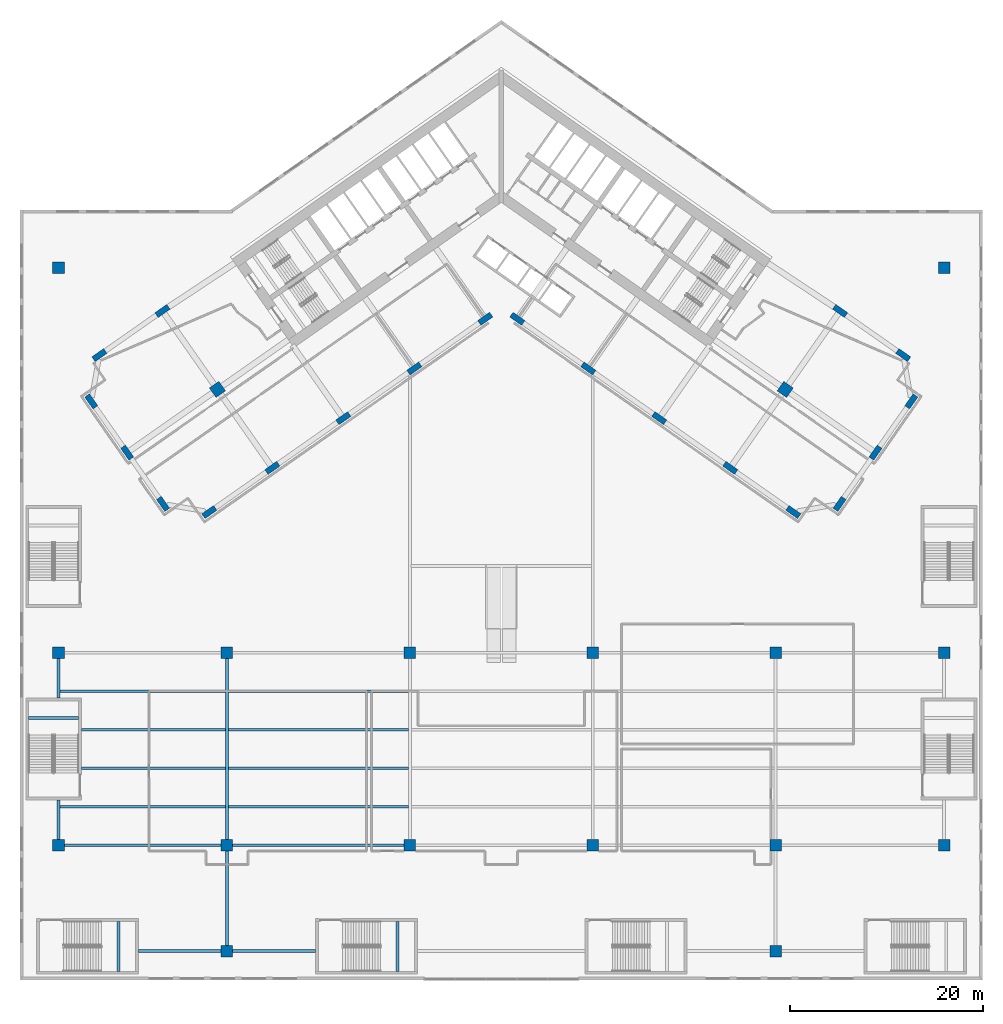
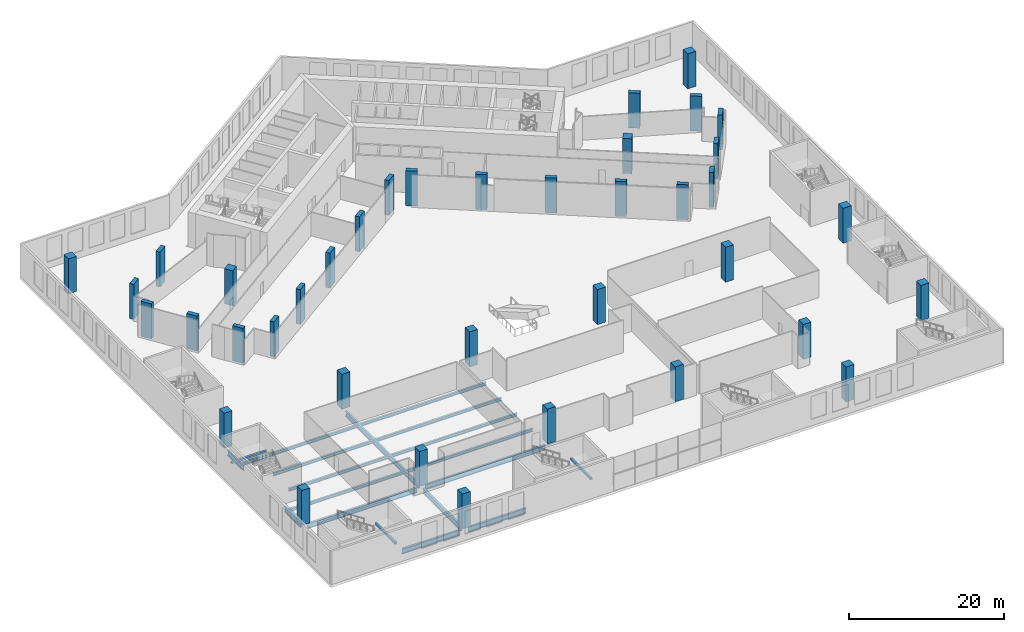
# One storey, part 1 of 26: 38 columns, 19 beams.
"""IFC4 building model written with IfcOpenShell, lengths in metres."""

from ifc_helpers import new_model, si_unit, direction, frame, origin, origin_2d, place, context, subcontext, project, spatial, rectangle, i_section, extrude, material, material_profile, profile_set, type_object, element, save


model = new_model("IFC4")

# Units and contexts
model_context = context("Model", 3, precision=1e-05, world=origin(), true_north=direction((0.0, 1.0)))
body_context = subcontext(model_context, "Body", "Model", "MODEL_VIEW")
ifc_project = project(units=[si_unit("LENGTHUNIT", "METRE"), si_unit("AREAUNIT", "SQUARE_METRE"), si_unit("VOLUMEUNIT", "CUBIC_METRE"), si_unit("PLANEANGLEUNIT", "RADIAN"), si_unit("MASSUNIT", "GRAM", prefix="KILO")], contexts=[model_context])

# Site, building, storey
site_placement = place(None, origin())
site = spatial("IfcSite", under=ifc_project, at=site_placement, CompositionType="ELEMENT")
building_placement = place(site_placement, origin())
building = spatial("IfcBuilding", under=site, at=building_placement, Name="Tel Ilan Convention Tower", CompositionType="ELEMENT")
storey_placement = place(building_placement, frame((0.0, 0.0, 37.5)))
storey = spatial("IfcBuildingStorey", under=building, at=storey_placement, Name="L05", CompositionType="ELEMENT", Elevation=37.5)

# Columns
ifc_material_1 = material(Name="Concrete C50/60", Category="concrete")
ifc_material_profile_1 = material_profile(ifc_material_1, rectangle(XDim=1.199951171875, YDim=1.199951171875, at=origin_2d()), Name="RC 1200x1200")
ifc_profile_set_1 = profile_set([ifc_material_profile_1], Name="Concrete C50/60")
column_type_1 = type_object("IfcColumnType", Name="Column RC 1200x1200 C50/60", PredefinedType="COLUMN", material=ifc_profile_set_1)
for number, where, z_axis, x_axis, name in (
    (1, (-28.5, -79.0, 0.0), (0.0, 0.0, 1.0), (1.0, 0.0, 0.0), "L05 column PC12"),
    (2, (28.5, -79.0, 0.0), (0.0, 0.0, 1.0), (1.0, 0.0, 0.0), "L05 column PC15"),
    (3, (-46.0, -68.0, 0.0), (0.0, 0.0, 1.0), (1.0, 0.0, 0.0), "L05 column PC21"),
    (4, (-28.5, -68.0, 0.0), (0.0, 0.0, 1.0), (1.0, 0.0, 0.0), "L05 column PC22"),
    (5, (-9.5, -68.0, 0.0), (0.0, 0.0, 1.0), (1.0, 0.0, 0.0), "L05 column PC23"),
    (6, (9.5, -68.0, 0.0), (0.0, 0.0, 1.0), (1.0, 0.0, 0.0), "L05 column PC24"),
    (7, (28.5, -68.0, 0.0), (0.0, 0.0, 1.0), (1.0, 0.0, 0.0), "L05 column PC25"),
    (8, (46.0, -68.0, 0.0), (0.0, 0.0, 1.0), (1.0, 0.0, 0.0), "L05 column PC26"),
    (9, (-46.0, -48.0, 0.0), (0.0, 0.0, 1.0), (1.0, 0.0, 0.0), "L05 column PC31"),
    (10, (-28.5, -48.0, 0.0), (0.0, 0.0, 1.0), (1.0, 0.0, 0.0), "L05 column PC32"),
    (11, (-9.5, -48.0, 0.0), (0.0, 0.0, 1.0), (1.0, 0.0, 0.0), "L05 column PC33"),
    (12, (9.5, -48.0, 0.0), (0.0, 0.0, 1.0), (1.0, 0.0, 0.0), "L05 column PC34"),
    (13, (28.5, -48.0, 0.0), (0.0, 0.0, 1.0), (1.0, 0.0, 0.0), "L05 column PC35"),
    (14, (46.0, -48.0, 0.0), (0.0, 0.0, 1.0), (1.0, 0.0, 0.0), "L05 column PC36"),
    (15, (-46.0, -8.0, 0.0), (0.0, 0.0, 1.0), (1.0, 0.0, 0.0), "L05 column PC51"),
    (16, (46.0, -8.0, 0.0), (0.0, 0.0, 1.0), (1.0, 0.0, 0.0), "L05 column PC56"),
):
    element("IfcColumn", number, at=place(storey_placement, frame(where, z_axis=z_axis, x_axis=x_axis)), inside=storey, type_object=column_type_1, Name=name, PredefinedType="COLUMN", context=body_context, shape_type="SweptSolid", body=[
        extrude(rectangle(XDim=1.199951171875, YDim=1.199951171875, at=origin_2d()), origin(), (0.0, 0.0, 1.0), 5.5),
    ])
ifc_material_2 = material(Name="Concrete C60/75", Category="concrete")
ifc_material_profile_2 = material_profile(ifc_material_2, rectangle(XDim=1.199951171875, YDim=1.199951171875, at=origin_2d()), Name="RC 1200x1200")
ifc_profile_set_2 = profile_set([ifc_material_profile_2], Name="Concrete C60/75")
column_type_2 = type_object("IfcColumnType", Name="Column RC 1200x1200 C60/75", PredefinedType="COLUMN", material=ifc_profile_set_2)
for number, where, z_axis, x_axis, name in (
    (17, (-29.489501953125, -20.648681640625, 0.0), (0.0, 0.0, 1.0), (-0.819152044289, -0.573576436351, 0.0), "L05 column W-M4"),
    (18, (29.489501953125, -20.648681640625, 0.0), (0.0, 0.0, 1.0), (0.819152044289, -0.573576436351, 0.0), "L05 column E-M4"),
):
    element("IfcColumn", number, at=place(storey_placement, frame(where, z_axis=z_axis, x_axis=x_axis)), inside=storey, type_object=column_type_2, Name=name, PredefinedType="COLUMN", context=body_context, shape_type="SweptSolid", body=[
        extrude(rectangle(XDim=1.199951171875, YDim=1.199951171875, at=origin_2d()), origin(), (0.0, 0.0, 1.0), 5.5),
    ])
ifc_material_3 = material(Name="Concrete C60/75", Category="concrete")
ifc_material_profile_3 = material_profile(ifc_material_3, rectangle(XDim=1.5, YDim=0.60009765625, at=origin_2d()), Name="RC 600x1500")
ifc_profile_set_3 = profile_set([ifc_material_profile_3], Name="Concrete C60/75")
column_type_3 = type_object("IfcColumnType", Name="Column RC 600x1500 C60/75", PredefinedType="COLUMN", material=ifc_profile_set_3)
for number, where, z_axis, x_axis, name in (
    (19, (-1.665283203125, -13.312744140625, 0.0), (0.0, 0.0, 1.0), (-0.819152044289, -0.573576436351, 0.0), "L05 column W-F1"),
    (20, (-9.03759765625, -18.474853515625, 0.0), (0.0, 0.0, 1.0), (-0.819152044289, -0.573576436351, 0.0), "L05 column W-F2"),
    (21, (-16.409912109375, -23.63720703125, 0.0), (0.0, 0.0, 1.0), (-0.819152044289, -0.573576436351, 0.0), "L05 column W-F3"),
    (22, (-23.782470703125, -28.79931640625, 0.0), (0.0, 0.0, 1.0), (-0.819152044289, -0.573576436351, 0.0), "L05 column W-F4"),
    (23, (-30.335693359375, -33.387939453125, 0.0), (0.0, 0.0, 1.0), (-0.819152044289, -0.573576436351, 0.0), "L05 column W-FC"),
    (24, (-35.196533203125, -12.498291015625, 0.0), (0.0, 0.0, 1.0), (-0.819152044289, -0.573576436351, 0.0), "L05 column W-B4"),
    (25, (-41.749755859375, -17.0869140625, 0.0), (0.0, 0.0, 1.0), (-0.819152044289, -0.573576436351, 0.0), "L05 column W-BC"),
    (26, (-35.140380859375, -32.540771484375, 0.0), (0.0, 0.0, 1.0), (-0.573576436351, 0.819152044289, 0.0), "L05 column W-E1"),
    (27, (-38.868896484375, -27.21630859375, 0.0), (0.0, 0.0, 1.0), (-0.573576436351, 0.819152044289, 0.0), "L05 column W-E2"),
    (28, (-42.596923828125, -21.8916015625, 0.0), (0.0, 0.0, 1.0), (-0.573576436351, 0.819152044289, 0.0), "L05 column W-E3"),
    (29, (1.665283203125, -13.312744140625, 0.0), (0.0, 0.0, 1.0), (0.819152044289, -0.573576436351, 0.0), "L05 column E-F1"),
    (30, (9.03759765625, -18.474853515625, 0.0), (0.0, 0.0, 1.0), (0.819152044289, -0.573576436351, 0.0), "L05 column E-F2"),
    (31, (16.409912109375, -23.63720703125, 0.0), (0.0, 0.0, 1.0), (0.819152044289, -0.573576436351, 0.0), "L05 column E-F3"),
    (32, (23.782470703125, -28.79931640625, 0.0), (0.0, 0.0, 1.0), (0.819152044289, -0.573576436351, 0.0), "L05 column E-F4"),
    (33, (30.335693359375, -33.387939453125, 0.0), (0.0, 0.0, 1.0), (0.819152044289, -0.573576436351, 0.0), "L05 column E-FC"),
    (34, (35.196533203125, -12.498291015625, 0.0), (0.0, 0.0, 1.0), (0.819152044289, -0.573576436351, 0.0), "L05 column E-B4"),
    (35, (41.749755859375, -17.0869140625, 0.0), (0.0, 0.0, 1.0), (0.819152044289, -0.573576436351, 0.0), "L05 column E-BC"),
    (36, (35.140380859375, -32.540771484375, 0.0), (0.0, 0.0, 1.0), (0.573576436351, 0.819152044289, 0.0), "L05 column E-E1"),
    (37, (38.868896484375, -27.21630859375, 0.0), (0.0, 0.0, 1.0), (0.573576436351, 0.819152044289, 0.0), "L05 column E-E2"),
    (38, (42.596923828125, -21.8916015625, 0.0), (0.0, 0.0, 1.0), (0.573576436351, 0.819152044289, 0.0), "L05 column E-E3"),
):
    element("IfcColumn", number, at=place(storey_placement, frame(where, z_axis=z_axis, x_axis=x_axis)), inside=storey, type_object=column_type_3, Name=name, PredefinedType="COLUMN", context=body_context, shape_type="SweptSolid", body=[
        extrude(rectangle(XDim=1.5, YDim=0.60009765625, at=origin_2d()), origin(), (0.0, 0.0, 1.0), 5.5),
    ])

# Beams
ifc_material_4 = material(Name="Steel S355", Category="steel")
ifc_material_profile_4 = material_profile(ifc_material_4, i_section(OverallWidth=0.300048828125, OverallDepth=0.800048828125, WebThickness=0.017578125, FlangeThickness=0.032958984375, FilletRadius=0.030029296875, at=origin_2d()), Name="HEB 800")
ifc_profile_set_4 = profile_set([ifc_material_profile_4], Name="Steel S355")
beam_type_1 = type_object("IfcBeamType", Name="Girder HEB 800 Steel S355", PredefinedType="BEAM", material=ifc_profile_set_4)
beam_1_placement = place(storey_placement, frame((-45.39990234375, -68.0, -0.800048828125), z_axis=(1.0, 0.0, 0.0), x_axis=(0.0, 1.0, 0.0)))
element("IfcBeam", 39, at=beam_1_placement, inside=storey, type_object=beam_type_1, Name="L05 beam GX21-2", PredefinedType="BEAM", context=body_context, shape_type="SweptSolid", body=[
    extrude(i_section(OverallWidth=0.300048828125, OverallDepth=0.800048828125, WebThickness=0.017578125, FlangeThickness=0.032958984375, FilletRadius=0.030029296875, at=origin_2d()), origin(), (0.0, 0.0, 1.0), 16.2998046875),
])
beam_2_placement = place(storey_placement, frame((-27.89990234375, -68.0, -0.800048828125), z_axis=(1.0, 0.0, 0.0), x_axis=(0.0, 1.0, 0.0)))
element("IfcBeam", 40, at=beam_2_placement, inside=storey, type_object=beam_type_1, Name="L05 beam GX22-3", PredefinedType="BEAM", context=body_context, shape_type="SweptSolid", body=[
    extrude(i_section(OverallWidth=0.300048828125, OverallDepth=0.800048828125, WebThickness=0.017578125, FlangeThickness=0.032958984375, FilletRadius=0.030029296875, at=origin_2d()), origin(), (0.0, 0.0, 1.0), 17.7998046875),
])
for number, where, z_axis, x_axis, name in (
    (41, (-46.0, -67.39990234375, -0.800048828125), (0.0, 1.0, 0.0), (-1.0, 0.0, 0.0), "L05 beam GY12-3"),
    (42, (-46.0, -52.699951171875, -0.800048828125), (0.0, 1.0, 0.0), (-1.0, 0.0, 0.0), "L05 beam GY12-3"),
):
    element("IfcBeam", number, at=place(storey_placement, frame(where, z_axis=z_axis, x_axis=x_axis)), inside=storey, type_object=beam_type_1, Name=name, PredefinedType="BEAM", context=body_context, shape_type="SweptSolid", body=[
        extrude(i_section(OverallWidth=0.300048828125, OverallDepth=0.800048828125, WebThickness=0.017578125, FlangeThickness=0.032958984375, FilletRadius=0.030029296875, at=origin_2d()), origin(), (0.0, 0.0, 1.0), 4.099853515625),
    ])
beam_3_placement = place(storey_placement, frame((-28.5, -78.39990234375, -0.800048828125), z_axis=(0.0, 1.0, 0.0), x_axis=(-1.0, 0.0, 0.0)))
element("IfcBeam", 43, at=beam_3_placement, inside=storey, type_object=beam_type_1, Name="L05 beam GY21-2", PredefinedType="BEAM", context=body_context, shape_type="SweptSolid", body=[
    extrude(i_section(OverallWidth=0.300048828125, OverallDepth=0.800048828125, WebThickness=0.017578125, FlangeThickness=0.032958984375, FilletRadius=0.030029296875, at=origin_2d()), origin(), (0.0, 0.0, 1.0), 9.7998046875),
])
beam_4_placement = place(storey_placement, frame((-28.5, -67.39990234375, -0.800048828125), z_axis=(0.0, 1.0, 0.0), x_axis=(-1.0, 0.0, 0.0)))
element("IfcBeam", 44, at=beam_4_placement, inside=storey, type_object=beam_type_1, Name="L05 beam GY22-3", PredefinedType="BEAM", context=body_context, shape_type="SweptSolid", body=[
    extrude(i_section(OverallWidth=0.300048828125, OverallDepth=0.800048828125, WebThickness=0.017578125, FlangeThickness=0.032958984375, FilletRadius=0.030029296875, at=origin_2d()), origin(), (0.0, 0.0, 1.0), 18.7998046875),
])
for number, where, z_axis, x_axis, name in (
    (45, (-37.699951171875, -79.0, -0.800048828125), (1.0, 0.0, 0.0), (0.0, 1.0, 0.0), "L05 beam GS19"),
    (46, (-27.89990234375, -79.0, -0.800048828125), (1.0, 0.0, 0.0), (0.0, 1.0, 0.0), "L05 beam GS20"),
):
    element("IfcBeam", number, at=place(storey_placement, frame(where, z_axis=z_axis, x_axis=x_axis)), inside=storey, type_object=beam_type_1, Name=name, PredefinedType="BEAM", context=body_context, shape_type="SweptSolid", body=[
        extrude(i_section(OverallWidth=0.300048828125, OverallDepth=0.800048828125, WebThickness=0.017578125, FlangeThickness=0.032958984375, FilletRadius=0.030029296875, at=origin_2d()), origin(), (0.0, 0.0, 1.0), 8.599853515625),
    ])
ifc_material_5 = material(Name="Steel S355", Category="steel")
ifc_material_profile_5 = material_profile(ifc_material_5, i_section(OverallWidth=0.300048828125, OverallDepth=0.449951171875, WebThickness=0.013916015625, FlangeThickness=0.02587890625, FilletRadius=0.027099609375, at=origin_2d()), Name="HEB 450")
ifc_profile_set_5 = profile_set([ifc_material_profile_5], Name="Steel S355")
beam_type_2 = type_object("IfcBeamType", Name="Joist HEB 450 Steel S355", PredefinedType="JOIST", material=ifc_profile_set_5)
beam_5_placement = place(storey_placement, frame((-45.860107421875, -64.0, -0.625), z_axis=(1.0, 0.0, 0.0), x_axis=(0.0, 1.0, 0.0)))
element("IfcBeam", 47, at=beam_5_placement, inside=storey, type_object=beam_type_2, Name="L05 beam J1--68-1", PredefinedType="JOIST", context=body_context, shape_type="SweptSolid", body=[
    extrude(i_section(OverallWidth=0.300048828125, OverallDepth=0.449951171875, WebThickness=0.013916015625, FlangeThickness=0.02587890625, FilletRadius=0.027099609375, at=origin_2d()), origin(), (0.0, 0.0, 1.0), 17.22021484375),
])
for number, where, z_axis, x_axis, name in (
    (48, (-43.60009765625, -60.0, -0.625), (1.0, 0.0, 0.0), (0.0, 1.0, 0.0), "L05 beam J1--68-2"),
    (49, (-43.60009765625, -56.0, -0.625), (1.0, 0.0, 0.0), (0.0, 1.0, 0.0), "L05 beam J1--68-3"),
):
    element("IfcBeam", number, at=place(storey_placement, frame(where, z_axis=z_axis, x_axis=x_axis)), inside=storey, type_object=beam_type_2, Name=name, PredefinedType="JOIST", context=body_context, shape_type="SweptSolid", body=[
        extrude(i_section(OverallWidth=0.300048828125, OverallDepth=0.449951171875, WebThickness=0.013916015625, FlangeThickness=0.02587890625, FilletRadius=0.027099609375, at=origin_2d()), origin(), (0.0, 0.0, 1.0), 14.960205078125),
    ])
beam_6_placement = place(storey_placement, frame((-45.860107421875, -52.0, -0.625), z_axis=(1.0, 0.0, 0.0), x_axis=(0.0, 1.0, 0.0)))
element("IfcBeam", 50, at=beam_6_placement, inside=storey, type_object=beam_type_2, Name="L05 beam J1--68-4", PredefinedType="JOIST", context=body_context, shape_type="SweptSolid", body=[
    extrude(i_section(OverallWidth=0.300048828125, OverallDepth=0.449951171875, WebThickness=0.013916015625, FlangeThickness=0.02587890625, FilletRadius=0.027099609375, at=origin_2d()), origin(), (0.0, 0.0, 1.0), 17.22021484375),
])
for number, where, z_axis, x_axis, name in (
    (51, (-28.360107421875, -64.0, -0.625), (1.0, 0.0, 0.0), (0.0, 1.0, 0.0), "L05 beam J2--68-1"),
    (52, (-28.360107421875, -60.0, -0.625), (1.0, 0.0, 0.0), (0.0, 1.0, 0.0), "L05 beam J2--68-2"),
    (53, (-28.360107421875, -56.0, -0.625), (1.0, 0.0, 0.0), (0.0, 1.0, 0.0), "L05 beam J2--68-3"),
    (54, (-28.360107421875, -52.0, -0.625), (1.0, 0.0, 0.0), (0.0, 1.0, 0.0), "L05 beam J2--68-4"),
):
    element("IfcBeam", number, at=place(storey_placement, frame(where, z_axis=z_axis, x_axis=x_axis)), inside=storey, type_object=beam_type_2, Name=name, PredefinedType="JOIST", context=body_context, shape_type="SweptSolid", body=[
        extrude(i_section(OverallWidth=0.300048828125, OverallDepth=0.449951171875, WebThickness=0.013916015625, FlangeThickness=0.02587890625, FilletRadius=0.027099609375, at=origin_2d()), origin(), (0.0, 0.0, 1.0), 18.72021484375),
    ])
ifc_material_6 = material(Name="Concrete C40/50", Category="concrete")
ifc_material_profile_6 = material_profile(ifc_material_6, rectangle(XDim=0.300048828125, YDim=0.300048828125, at=origin_2d()), Name="RC 300x300")
ifc_profile_set_6 = profile_set([ifc_material_profile_6], Name="Concrete C40/50")
beam_type_3 = type_object("IfcBeamType", Name="Landing Beam RC 300x300 Concrete C40/50", PredefinedType="BEAM", material=ifc_profile_set_6)
for number, where, z_axis, x_axis, name in (
    (55, (-39.77783203125, -81.10009765625, 2.39990234375), (0.0, 1.0, 0.0), (-1.0, 0.0, 0.0), "P1 landing beam L05.1"),
    (56, (-10.77783203125, -81.10009765625, 2.39990234375), (0.0, 1.0, 0.0), (-1.0, 0.0, 0.0), "P2 landing beam L05.1"),
    (57, (-43.89990234375, -54.77783203125, 2.39990234375), (-1.0, 0.0, 0.0), (0.0, -1.0, 0.0), "P5 landing beam L05.1"),
):
    element("IfcBeam", number, at=place(storey_placement, frame(where, z_axis=z_axis, x_axis=x_axis)), inside=storey, type_object=beam_type_3, Name=name, PredefinedType="BEAM", context=body_context, shape_type="SweptSolid", body=[
        extrude(rectangle(XDim=0.300048828125, YDim=0.300048828125, at=origin_2d()), origin(), (0.0, 0.0, 1.0), 5.2001953125),
    ])

save(model, "model.ifc")
